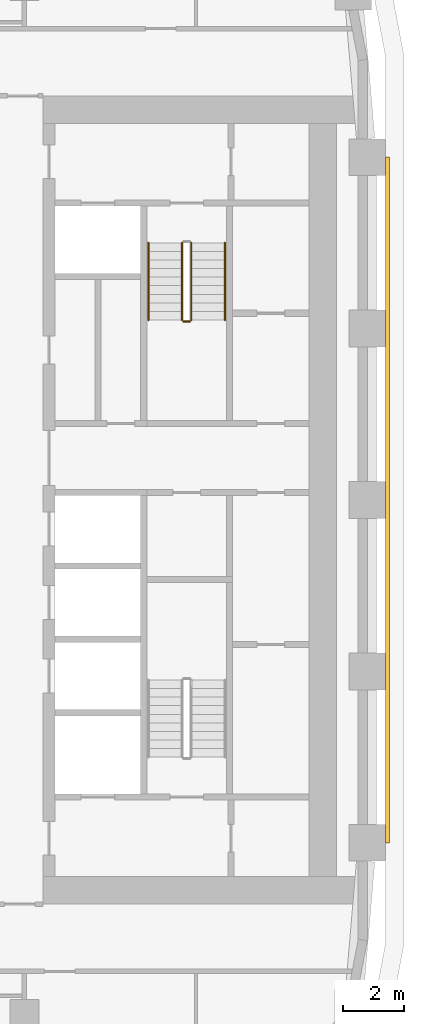
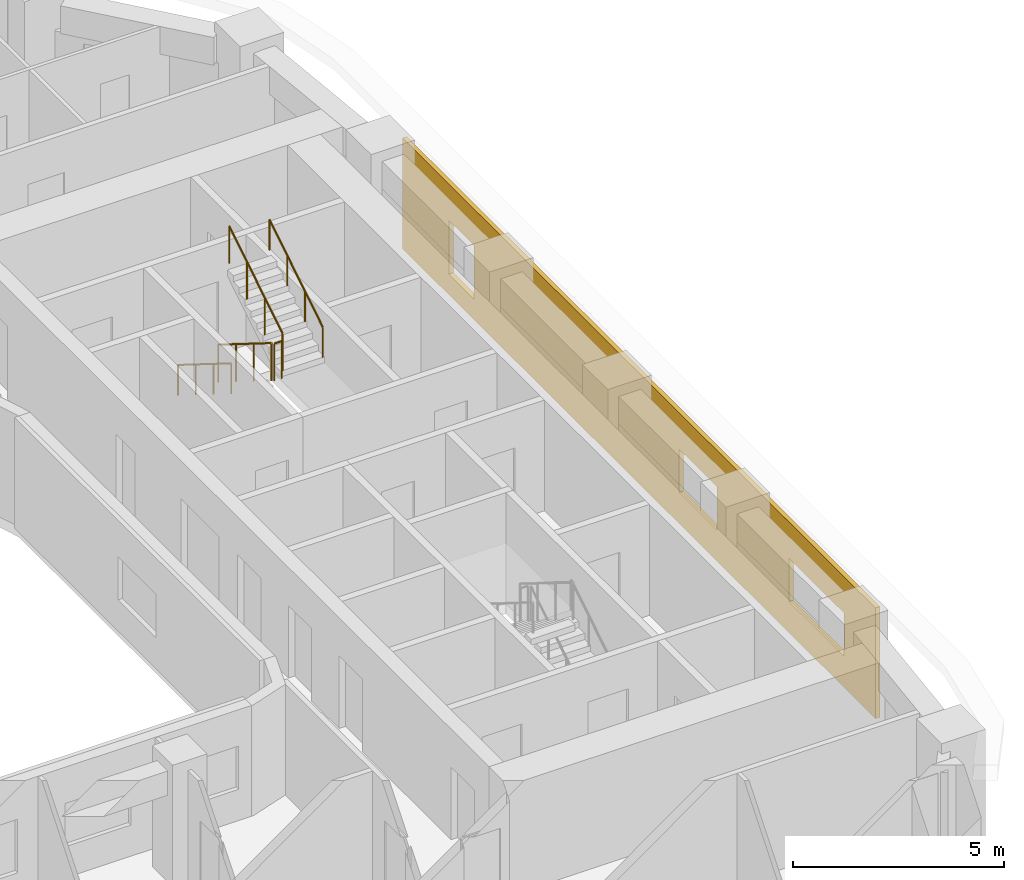
# One storey, part 20 of 23: 5 railings, 1 covering.
"""IFC4 building model written with IfcOpenShell, lengths in metres."""

import ifcopenshell
import ifcopenshell.guid

model = None  # the IFC model being written
_history = None  # IfcOwnerHistory: only IFC2X3 demands one
_inside = {}  # id of a spatial element -> (the spatial element, [elements in it])
_under = {}  # id of a project, library or spatial element -> (it, [spatial elements below it])
_declared = {}  # id of a project -> (the project, [libraries it declares])
_typed = {}  # id of a type object -> (the type object, [elements of that type])
_made_of = {}  # id of a material, layer set ... -> (it, [elements and type objects made of it])


def new_model(schema):
    """Start an empty IFC model of exactly this schema.

    Asked for "IFC4X3", IfcOpenShell would pick the latest addendum, in which some entities
    have other attributes; the version numbers below select the first issue.
    IFC2X3 requires an IfcOwnerHistory on every rooted entity: one is made here for all.
    """
    global model, _history
    if schema == "IFC4X3":
        model = ifcopenshell.file(schema_version=(4, 3, 0, 0))
    else:
        model = ifcopenshell.file(schema=schema)
    _inside.clear()
    _under.clear()
    _declared.clear()
    _typed.clear()
    _made_of.clear()
    _history = None
    if model.schema == "IFC2X3":
        org = make("IfcOrganization", Name="unknown")
        user = make(
            "IfcPersonAndOrganization",
            ThePerson=make("IfcPerson", FamilyName="unknown"),
            TheOrganization=org,
        )
        app = make(
            "IfcApplication",
            ApplicationDeveloper=org,
            Version="unknown",
            ApplicationFullName="unknown",
            ApplicationIdentifier="unknown",
        )
        _history = make(
            "IfcOwnerHistory",
            OwningUser=user,
            OwningApplication=app,
            ChangeAction="ADDED",
            CreationDate=0,
        )
    return model


def make(cls, **values):
    """One entity of the class cls with the attributes given. An attribute that is None is left unset."""
    return model.create_entity(
        cls, **{name: value for name, value in values.items() if value is not None}
    )


def rooted(cls, **values):
    """An entity with a GlobalId (a new one), such as an element, a storey or a relation."""
    return make(cls, GlobalId=ifcopenshell.guid.new(), OwnerHistory=_history, **values)


def si_unit(unit_type, name, prefix=None):
    """IfcSIUnit, for example si_unit("LENGTHUNIT", "METRE", prefix="MILLI")."""
    return make("IfcSIUnit", UnitType=unit_type, Prefix=prefix, Name=name)


def assignment(units):
    """IfcUnitAssignment: the units of a project."""
    return None if units is None else make("IfcUnitAssignment", Units=units)


def point(xyz):
    """IfcCartesianPoint."""
    return None if xyz is None else make("IfcCartesianPoint", Coordinates=xyz)


def direction(xyz):
    """IfcDirection."""
    return None if xyz is None else make("IfcDirection", DirectionRatios=xyz)


def frame(location, z_axis=None, x_axis=None):
    """IfcAxis2Placement3D, a coordinate frame: its origin and axes. An axis left out is left unset."""
    return make(
        "IfcAxis2Placement3D",
        Location=point(location),
        Axis=direction(z_axis),
        RefDirection=direction(x_axis),
    )


def frame_2d(location, x_axis=None):
    """IfcAxis2Placement2D, a coordinate frame in the plane: its origin and x axis."""
    return make(
        "IfcAxis2Placement2D", Location=point(location), RefDirection=direction(x_axis)
    )


def origin():
    """The frame at (0, 0, 0) with its axes left unset."""
    return frame((0.0, 0.0, 0.0))


def origin_2d():
    """The frame at (0, 0) in the plane with its x axis left unset."""
    return frame_2d((0.0, 0.0))


def place(relative_to, where):
    """IfcLocalPlacement: puts the frame where relative to a parent placement (None: the world)."""
    return make(
        "IfcLocalPlacement", PlacementRelTo=relative_to, RelativePlacement=where
    )


def context(
    kind, dimensions, precision=None, world=None, true_north=None, identifier=None
):
    """IfcGeometricRepresentationContext, for example the 3D "Model" context."""
    return make(
        "IfcGeometricRepresentationContext",
        ContextIdentifier=identifier,
        ContextType=kind,
        CoordinateSpaceDimension=dimensions,
        Precision=precision,
        WorldCoordinateSystem=world,
        TrueNorth=true_north,
    )


def subcontext(parent, identifier, kind, view, scale=None):
    """IfcGeometricRepresentationSubContext, for example "Body" below "Model"."""
    return make(
        "IfcGeometricRepresentationSubContext",
        ContextIdentifier=identifier,
        ContextType=kind,
        ParentContext=parent,
        TargetScale=scale,
        TargetView=view,
    )


def project(units=None, contexts=None):
    """IfcProject with its units and contexts."""
    return rooted(
        "IfcProject",
        Name="project",
        RepresentationContexts=contexts,
        UnitsInContext=assignment(units),
    )


def spatial(cls, under=None, at=None, **own):
    """A site, building, storey or space (cls), placed at a placement, below another one or the project."""
    s = rooted(cls, ObjectPlacement=at, **own)
    if under is not None:
        _under.setdefault(under.id(), (under, []))[1].append(s)
    return s


def polyline(points):
    """IfcPolyline through the points."""
    return make("IfcPolyline", Points=[point(p) for p in points])


def profile(cls, at=None, kind="AREA", **sizes):
    """A parametric profile (cls). Its sizes go by their IFC names, for example OverallWidth=200.0."""
    return make(cls, ProfileType=kind, Position=at, **sizes)


def circle(**sizes):
    """IfcCircleProfileDef."""
    return profile("IfcCircleProfileDef", **sizes)


def outline(outer, holes=None, kind="AREA"):
    """IfcArbitraryClosedProfileDef: a profile drawn as a closed curve; with holes, ...WithVoids."""
    if holes is None:
        return make("IfcArbitraryClosedProfileDef", ProfileType=kind, OuterCurve=outer)
    return make(
        "IfcArbitraryProfileDefWithVoids",
        ProfileType=kind,
        OuterCurve=outer,
        InnerCurves=holes,
    )


def extrude(swept, where, along, depth):
    """IfcExtrudedAreaSolid: the profile swept, set in the frame where, extruded along a direction by depth."""
    return make(
        "IfcExtrudedAreaSolid",
        SweptArea=swept,
        Position=where,
        ExtrudedDirection=direction(along),
        Depth=depth,
    )


def shape(context_of_items, identifier, shape_type, items):
    """IfcShapeRepresentation: the items that make up one representation, for example the "Body"."""
    return make(
        "IfcShapeRepresentation",
        ContextOfItems=context_of_items,
        RepresentationIdentifier=identifier,
        RepresentationType=shape_type,
        Items=items,
    )


def material(Name=None, Category=None):
    """IfcMaterial."""
    return make("IfcMaterial", Name=Name, Category=Category)


def layer(
    of_material, thickness, ventilated=None, Name=None, Category=None, Priority=None
):
    """IfcMaterialLayer: one layer of a wall or slab, of a material (None: an air gap)."""
    return make(
        "IfcMaterialLayer",
        Material=of_material,
        LayerThickness=thickness,
        IsVentilated=ventilated,
        Name=Name,
        Category=Category,
        Priority=Priority,
    )


def layer_set(layers, Name=None):
    """IfcMaterialLayerSet."""
    return make("IfcMaterialLayerSet", MaterialLayers=layers, LayerSetName=Name)


def made_of(thing, what):
    """Note that an element or type object is made of a material, layer set ...; save() writes the relation."""
    if what is not None:
        _made_of.setdefault(what.id(), (what, []))[1].append(thing)
    return thing


def type_object(cls, material=None, **own):
    """A type object (cls), such as IfcWallType, which elements share."""
    return made_of(rooted(cls, **own), material)


def element(
    cls,
    number,
    at=None,
    inside=None,
    cuts=None,
    type_object=None,
    material=None,
    context=None,
    identifier="Body",
    shape_type=None,
    held_by="IfcProductDefinitionShape",
    body=None,
    shapes=None,
    **own,
):
    """One element of the class cls, such as IfcWall. Its Tag is "e" and its number.

    at: its placement. inside: the storey or other place that contains it. cuts: it is an
    opening in that element (IfcRelVoidsElement). A single representation is given by context,
    identifier, shape_type and body (its items); several are given by shapes. held_by: the class
    of the entity that holds the representations. save() writes the other relations.
    """
    e = rooted(cls, Tag="e%d" % number, ObjectPlacement=at, **own)
    if body is not None:
        shapes = [shape(context, identifier, shape_type, body)]
    if shapes is not None:
        e.Representation = make(held_by, Representations=shapes)
    if inside is not None:
        _inside.setdefault(inside.id(), (inside, []))[1].append(e)
    if cuts is not None:
        rooted(
            "IfcRelVoidsElement", RelatingBuildingElement=cuts, RelatedOpeningElement=e
        )
    if type_object is not None:
        _typed.setdefault(type_object.id(), (type_object, []))[1].append(e)
    return made_of(e, material)


def aggregate(whole, parts):
    """IfcRelAggregates: a whole, such as a stair, and the parts it consists of."""
    return rooted("IfcRelAggregates", RelatingObject=whole, RelatedObjects=parts)


def save(model, path):
    """Write the relations noted so far, then the file.

    IfcRelAggregates (storeys below a building ...), IfcRelContainedInSpatialStructure (elements
    in a storey), IfcRelDefinesByType, IfcRelAssociatesMaterial and IfcRelDeclares: one each for
    every whole, place, type object, material and project.
    """
    for whole, parts in _under.values():
        aggregate(whole, parts)
    for where, things in _inside.values():
        rooted(
            "IfcRelContainedInSpatialStructure",
            RelatedElements=things,
            RelatingStructure=where,
        )
    for kind, things in _typed.values():
        rooted("IfcRelDefinesByType", RelatedObjects=things, RelatingType=kind)
    for what, things in _made_of.values():
        rooted("IfcRelAssociatesMaterial", RelatedObjects=things, RelatingMaterial=what)
    for by, libraries in _declared.values():
        rooted("IfcRelDeclares", RelatingContext=by, RelatedDefinitions=libraries)
    model.write(path)


model = new_model("IFC4")

# Units and contexts
model_context = context("Model", 3, precision=1e-05, world=origin(), true_north=direction((0.0, 1.0)))
body_context = subcontext(model_context, "Body", "Model", "MODEL_VIEW")
ifc_project = project(units=[si_unit("LENGTHUNIT", "METRE"), si_unit("AREAUNIT", "SQUARE_METRE"), si_unit("VOLUMEUNIT", "CUBIC_METRE"), si_unit("PLANEANGLEUNIT", "RADIAN"), si_unit("MASSUNIT", "GRAM", prefix="KILO")], contexts=[model_context])

# Site, building, storey
site_placement = place(None, origin())
site = spatial("IfcSite", under=ifc_project, at=site_placement, CompositionType="ELEMENT")
building_placement = place(site_placement, origin())
building = spatial("IfcBuilding", under=site, at=building_placement, Name="Kiln Ring Residences", CompositionType="ELEMENT")
storey_placement = place(building_placement, frame((0.0, 0.0, 118.300048828125)))
storey = spatial("IfcBuildingStorey", under=building, at=storey_placement, Name="L30", CompositionType="ELEMENT", Elevation=118.300048828125)

# Railings
ifc_material_1 = material(Name="Stainless steel", Category="steel")
railing_type_1 = type_object("IfcRailingType", Name="CORE-STAIR-GUARD", PredefinedType="GUARDRAIL", material=ifc_material_1)
railing_1_placement = place(storey_placement, frame((21.949951171875, 8.39990234375, 0.175048828125)))
element("IfcRailing", 1, at=railing_1_placement, inside=storey, type_object=railing_type_1, Name="L30 E-STN stair guard 1", PredefinedType="GUARDRAIL", context=body_context, shape_type="SweptSolid", body=[
    extrude(circle(Radius=0.02392578125, at=origin_2d()), frame((0.0, 0.0, 1.076171875), z_axis=(0.0, -0.848007534815, 0.529984170421), x_axis=(1.0, 0.0, 0.0)), (0.0, 0.0, 1.0), 2.9716796875),
    extrude(circle(Radius=0.02099609375, at=origin_2d()), origin(), (0.0, 0.0, 1.0), 1.052001953125),
    extrude(circle(Radius=0.02099609375, at=origin_2d()), frame((0.0, -0.840087890625, 0.52490234375)), (0.0, 0.0, 1.0), 1.052001953125),
    extrude(circle(Radius=0.02099609375, at=origin_2d()), frame((0.0, -1.679931640625, 1.050048828125)), (0.0, 0.0, 1.0), 1.052001953125),
    extrude(circle(Radius=0.02099609375, at=origin_2d()), frame((0.0, -2.52001953125, 1.574951171875)), (0.0, 0.0, 1.0), 1.052001953125),
])
railing_2_placement = place(storey_placement, frame((22.0, 5.830078125, 1.75)))
element("IfcRailing", 2, at=railing_2_placement, inside=storey, type_object=railing_type_1, Name="L30 E-STN stair guard 2", PredefinedType="GUARDRAIL", context=body_context, shape_type="SweptSolid", body=[
    extrude(circle(Radius=0.02392578125, at=origin_2d()), frame((0.0, 0.0, 1.076171875), z_axis=(1.0, 0.0, 0.0), x_axis=(0.0, 1.0, 0.0)), (0.0, 0.0, 1.0), 0.199951171875),
    extrude(circle(Radius=0.02099609375, at=origin_2d()), origin(), (0.0, 0.0, 1.0), 1.052001953125),
    extrude(circle(Radius=0.02099609375, at=origin_2d()), frame((0.199951171875, 0.0, 0.0)), (0.0, 0.0, 1.0), 1.052001953125),
])
railing_3_placement = place(storey_placement, frame((22.25, 5.8798828125, 1.925048828125)))
element("IfcRailing", 3, at=railing_3_placement, inside=storey, type_object=railing_type_1, Name="L30 E-STN stair guard 3", PredefinedType="GUARDRAIL", context=body_context, shape_type="SweptSolid", body=[
    extrude(circle(Radius=0.02392578125, at=origin_2d()), frame((0.0, 0.0, 1.076171875), z_axis=(0.0, 0.848007534815, 0.529984170421), x_axis=(-1.0, 0.0, 0.0)), (0.0, 0.0, 1.0), 2.9716796875),
    extrude(circle(Radius=0.02099609375, at=origin_2d()), origin(), (0.0, 0.0, 1.0), 1.052001953125),
    extrude(circle(Radius=0.02099609375, at=origin_2d()), frame((0.0, 0.840087890625, 0.52490234375)), (0.0, 0.0, 1.0), 1.052001953125),
    extrude(circle(Radius=0.02099609375, at=origin_2d()), frame((0.0, 1.679931640625, 1.050048828125)), (0.0, 0.0, 1.0), 1.052001953125),
    extrude(circle(Radius=0.02099609375, at=origin_2d()), frame((0.0, 2.52001953125, 1.574951171875)), (0.0, 0.0, 1.0), 1.052001953125),
])
ifc_material_2 = material(Name="Stainless steel", Category="steel")
railing_type_2 = type_object("IfcRailingType", Name="CORE-STAIR-HANDRAIL", PredefinedType="HANDRAIL", material=ifc_material_2)
railing_4_placement = place(storey_placement, frame((20.85009765625, 8.39990234375, 0.175048828125)))
element("IfcRailing", 4, at=railing_4_placement, inside=storey, type_object=railing_type_2, Name="L30 E-STN stair handrail 1", PredefinedType="HANDRAIL", context=body_context, shape_type="SweptSolid", body=[
    extrude(circle(Radius=0.02392578125, at=origin_2d()), frame((0.0, 0.0, 0.8759765625), z_axis=(0.0, -0.848007534815, 0.529984170421), x_axis=(1.0, 0.0, 0.0)), (0.0, 0.0, 1.0), 2.9716796875),
    extrude(circle(Radius=0.02099609375, at=origin_2d()), origin(), (0.0, 0.0, 1.0), 0.851806640625),
    extrude(circle(Radius=0.02099609375, at=origin_2d()), frame((0.0, -0.840087890625, 0.52490234375)), (0.0, 0.0, 1.0), 0.851806640625),
    extrude(circle(Radius=0.02099609375, at=origin_2d()), frame((0.0, -1.679931640625, 1.050048828125)), (0.0, 0.0, 1.0), 0.851806640625),
    extrude(circle(Radius=0.02099609375, at=origin_2d()), frame((0.0, -2.52001953125, 1.574951171875)), (0.0, 0.0, 1.0), 0.851806640625),
])
railing_5_placement = place(storey_placement, frame((23.35009765625, 5.8798828125, 1.925048828125)))
element("IfcRailing", 5, at=railing_5_placement, inside=storey, type_object=railing_type_2, Name="L30 E-STN stair handrail 2", PredefinedType="HANDRAIL", context=body_context, shape_type="SweptSolid", body=[
    extrude(circle(Radius=0.02392578125, at=origin_2d()), frame((0.0, 0.0, 0.8759765625), z_axis=(0.0, 0.848007534815, 0.529984170421), x_axis=(-1.0, 0.0, 0.0)), (0.0, 0.0, 1.0), 2.9716796875),
    extrude(circle(Radius=0.02099609375, at=origin_2d()), origin(), (0.0, 0.0, 1.0), 0.851806640625),
    extrude(circle(Radius=0.02099609375, at=origin_2d()), frame((0.0, 0.840087890625, 0.52490234375)), (0.0, 0.0, 1.0), 0.851806640625),
    extrude(circle(Radius=0.02099609375, at=origin_2d()), frame((0.0, 1.679931640625, 1.050048828125)), (0.0, 0.0, 1.0), 0.851806640625),
    extrude(circle(Radius=0.02099609375, at=origin_2d()), frame((0.0, 2.52001953125, 1.574951171875)), (0.0, 0.0, 1.0), 0.851806640625),
])

# Covering
ifc_material_3 = material(Name="Brick masonry, dark clay brick", Category="masonry")
ifc_layer = layer(ifc_material_3, 0.1201171875)
ifc_layer_set = layer_set([ifc_layer], Name="RAINSCREEN PANEL 120")
covering_type = type_object("IfcCoveringType", Name="RAINSCREEN PANEL 120", PredefinedType="CLADDING", material=ifc_layer_set)
covering_placement = place(storey_placement, frame((28.659912109375, -11.199951171875, 0.0), z_axis=(0.0, 0.0, 1.0), x_axis=(0.0, 1.0, 0.0)))
element("IfcCovering", 6, at=covering_placement, inside=storey, type_object=covering_type, Name="RAINSCREEN L30", PredefinedType="CLADDING", context=body_context, shape_type="SweptSolid", body=[
    extrude(outline(polyline([(0.0, 0.0), (22.39990234375, 0.0), (22.39990234375, 3.199951171875), (0.0, 3.199951171875), (0.0, 0.0)]), holes=[polyline([(20.199951171875, 2.14990234375), (19.0, 2.14990234375), (19.0, 0.599853515625), (20.199951171875, 0.599853515625), (20.199951171875, 2.14990234375)]), polyline([(4.10009765625, 0.89990234375), (4.10009765625, 2.14990234375), (1.5, 2.14990234375), (1.5, 0.89990234375), (4.10009765625, 0.89990234375)]), polyline([(9.300048828125, 0.89990234375), (9.300048828125, 2.14990234375), (7.5, 2.14990234375), (7.5, 0.89990234375), (9.300048828125, 0.89990234375)])]), frame((0.0, 0.06005859375, 0.0), z_axis=(0.0, -1.0, 0.0), x_axis=(1.0, 0.0, 0.0)), (0.0, 0.0, 1.0), 0.1201171875),
])

save(model, "model.ifc")
